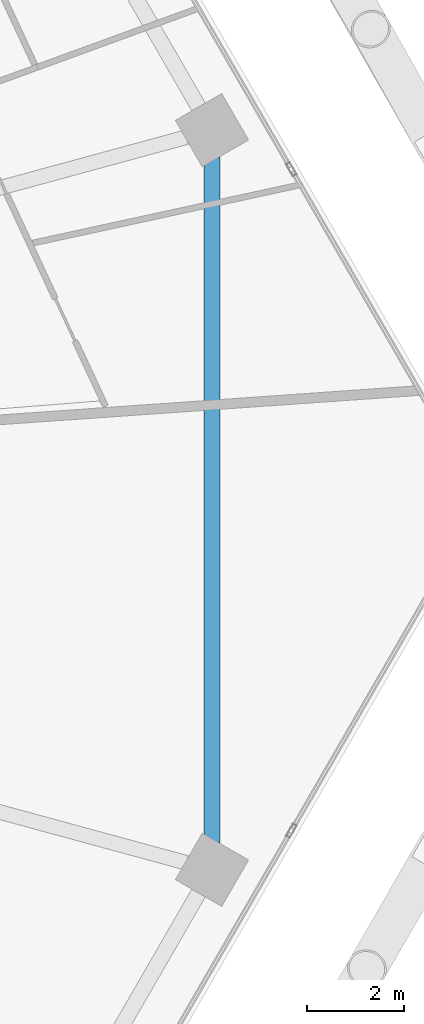
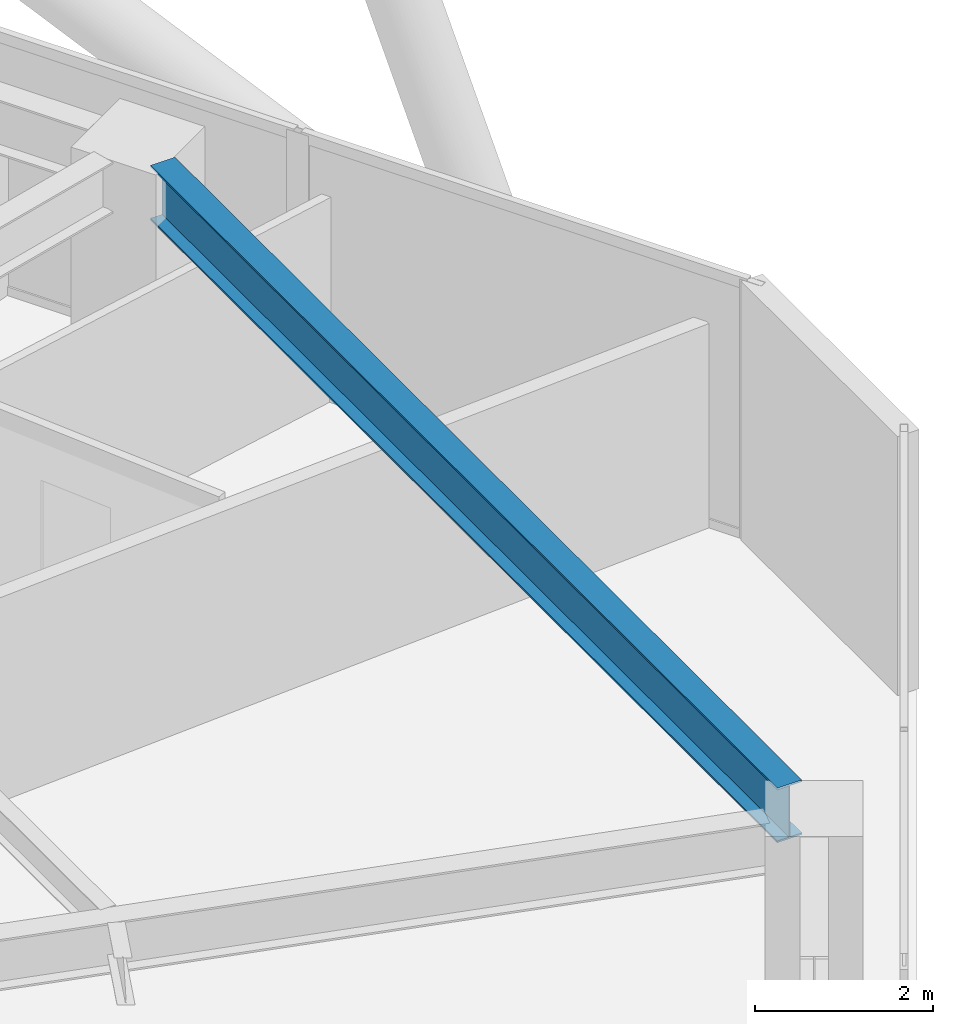
# One storey, part 14 of 35: 1 beam.
"""IFC4 building model written with IfcOpenShell, lengths in metres."""

from ifc_helpers import new_model, si_unit, direction, frame, origin, origin_2d, place, context, subcontext, project, spatial, i_section, extrude, material, material_profile, profile_set, type_object, element, save


model = new_model("IFC4")

# Units and contexts
model_context = context("Model", 3, precision=1e-05, world=origin(), true_north=direction((0.0, 1.0)))
body_context = subcontext(model_context, "Body", "Model", "MODEL_VIEW")
ifc_project = project(units=[si_unit("LENGTHUNIT", "METRE"), si_unit("AREAUNIT", "SQUARE_METRE"), si_unit("VOLUMEUNIT", "CUBIC_METRE"), si_unit("PLANEANGLEUNIT", "RADIAN"), si_unit("MASSUNIT", "GRAM", prefix="KILO")], contexts=[model_context])

# Site, building, storey
site_placement = place(None, origin())
site = spatial("IfcSite", under=ifc_project, at=site_placement, CompositionType="ELEMENT")
building_placement = place(site_placement, origin())
building = spatial("IfcBuilding", under=site, at=building_placement, Name="Zuhravey Tower", CompositionType="ELEMENT")
storey_placement = place(building_placement, frame((0.0, 0.0, 92.39990234375)))
storey = spatial("IfcBuildingStorey", under=building, at=storey_placement, Name="L22", CompositionType="ELEMENT", Elevation=92.39990234375)

# Beam
ifc_material = material(Name="Steel SM355", Category="steel")
ifc_material_profile = material_profile(ifc_material, i_section(OverallWidth=0.320068359375, OverallDepth=0.75, WebThickness=0.013916015625, FlangeThickness=0.02490234375, at=origin_2d()), Name="H-750x320x14x25")
ifc_profile_set = profile_set([ifc_material_profile], Name="Steel SM355")
beam_type = type_object("IfcBeamType", Name="Perimeter Ring Beam H750x320", PredefinedType="BEAM", material=ifc_profile_set)
beam_placement = place(storey_placement, frame((63.88916015625, 24.96142578125, 3.175048828125), z_axis=(0.0, 1.0, 0.0), x_axis=(-1.0, 0.0, 0.0)))
element("IfcBeam", 1, at=beam_placement, inside=storey, type_object=beam_type, Name="L22 PB1 BM-L22-PB-12", PredefinedType="BEAM", context=body_context, shape_type="SweptSolid", body=[
    extrude(i_section(OverallWidth=0.320068359375, OverallDepth=0.75, WebThickness=0.013916015625, FlangeThickness=0.02490234375, at=origin_2d()), origin(), (0.0, 0.0, 1.0), 14.0771484375),
])

save(model, "model.ifc")
